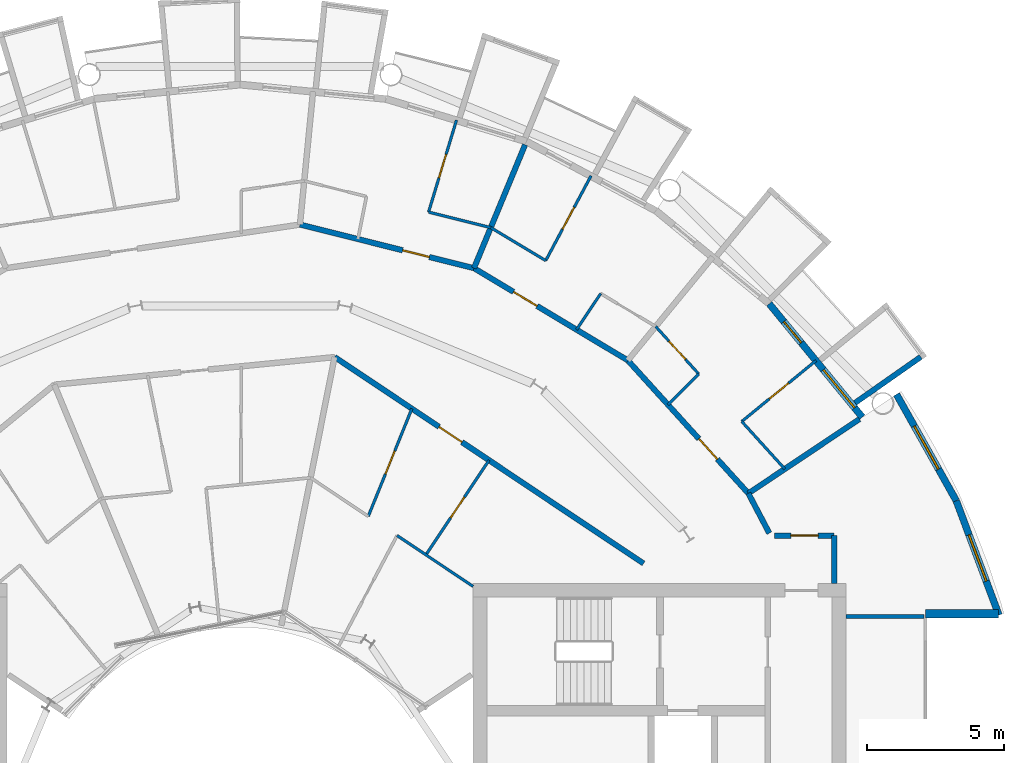
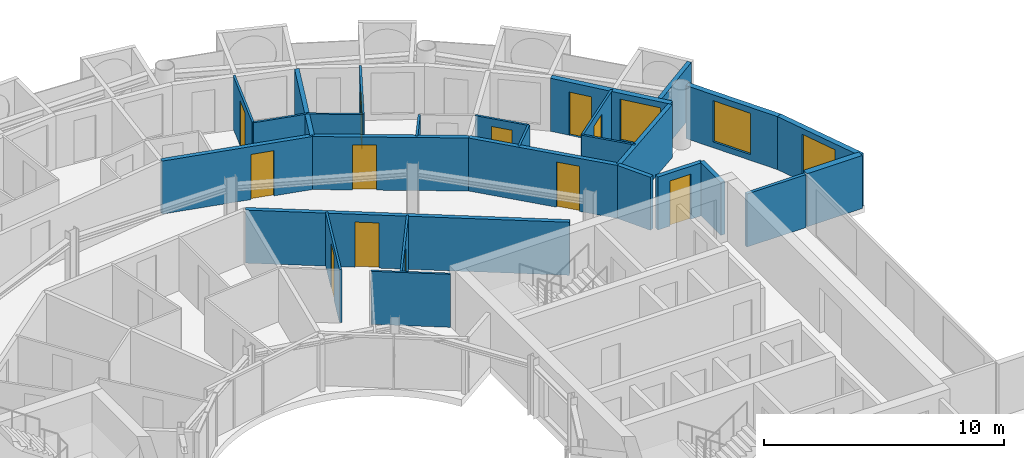
# One storey, part 22 of 27: 27 walls, 12 doors, 3 windows, 15 openings.
"""IFC4 building model written with IfcOpenShell, lengths in metres."""

import ifcopenshell
import ifcopenshell.guid

model = None  # the IFC model being written
_history = None  # IfcOwnerHistory: only IFC2X3 demands one
_inside = {}  # id of a spatial element -> (the spatial element, [elements in it])
_under = {}  # id of a project, library or spatial element -> (it, [spatial elements below it])
_declared = {}  # id of a project -> (the project, [libraries it declares])
_typed = {}  # id of a type object -> (the type object, [elements of that type])
_made_of = {}  # id of a material, layer set ... -> (it, [elements and type objects made of it])


def new_model(schema):
    """Start an empty IFC model of exactly this schema.

    Asked for "IFC4X3", IfcOpenShell would pick the latest addendum, in which some entities
    have other attributes; the version numbers below select the first issue.
    IFC2X3 requires an IfcOwnerHistory on every rooted entity: one is made here for all.
    """
    global model, _history
    if schema == "IFC4X3":
        model = ifcopenshell.file(schema_version=(4, 3, 0, 0))
    else:
        model = ifcopenshell.file(schema=schema)
    _inside.clear()
    _under.clear()
    _declared.clear()
    _typed.clear()
    _made_of.clear()
    _history = None
    if model.schema == "IFC2X3":
        org = make("IfcOrganization", Name="unknown")
        user = make(
            "IfcPersonAndOrganization",
            ThePerson=make("IfcPerson", FamilyName="unknown"),
            TheOrganization=org,
        )
        app = make(
            "IfcApplication",
            ApplicationDeveloper=org,
            Version="unknown",
            ApplicationFullName="unknown",
            ApplicationIdentifier="unknown",
        )
        _history = make(
            "IfcOwnerHistory",
            OwningUser=user,
            OwningApplication=app,
            ChangeAction="ADDED",
            CreationDate=0,
        )
    return model


def make(cls, **values):
    """One entity of the class cls with the attributes given. An attribute that is None is left unset."""
    return model.create_entity(
        cls, **{name: value for name, value in values.items() if value is not None}
    )


def rooted(cls, **values):
    """An entity with a GlobalId (a new one), such as an element, a storey or a relation."""
    return make(cls, GlobalId=ifcopenshell.guid.new(), OwnerHistory=_history, **values)


def si_unit(unit_type, name, prefix=None):
    """IfcSIUnit, for example si_unit("LENGTHUNIT", "METRE", prefix="MILLI")."""
    return make("IfcSIUnit", UnitType=unit_type, Prefix=prefix, Name=name)


def assignment(units):
    """IfcUnitAssignment: the units of a project."""
    return None if units is None else make("IfcUnitAssignment", Units=units)


def point(xyz):
    """IfcCartesianPoint."""
    return None if xyz is None else make("IfcCartesianPoint", Coordinates=xyz)


def direction(xyz):
    """IfcDirection."""
    return None if xyz is None else make("IfcDirection", DirectionRatios=xyz)


def frame(location, z_axis=None, x_axis=None):
    """IfcAxis2Placement3D, a coordinate frame: its origin and axes. An axis left out is left unset."""
    return make(
        "IfcAxis2Placement3D",
        Location=point(location),
        Axis=direction(z_axis),
        RefDirection=direction(x_axis),
    )


def frame_2d(location, x_axis=None):
    """IfcAxis2Placement2D, a coordinate frame in the plane: its origin and x axis."""
    return make(
        "IfcAxis2Placement2D", Location=point(location), RefDirection=direction(x_axis)
    )


def origin():
    """The frame at (0, 0, 0) with its axes left unset."""
    return frame((0.0, 0.0, 0.0))


def place(relative_to, where):
    """IfcLocalPlacement: puts the frame where relative to a parent placement (None: the world)."""
    return make(
        "IfcLocalPlacement", PlacementRelTo=relative_to, RelativePlacement=where
    )


def context(
    kind, dimensions, precision=None, world=None, true_north=None, identifier=None
):
    """IfcGeometricRepresentationContext, for example the 3D "Model" context."""
    return make(
        "IfcGeometricRepresentationContext",
        ContextIdentifier=identifier,
        ContextType=kind,
        CoordinateSpaceDimension=dimensions,
        Precision=precision,
        WorldCoordinateSystem=world,
        TrueNorth=true_north,
    )


def subcontext(parent, identifier, kind, view, scale=None):
    """IfcGeometricRepresentationSubContext, for example "Body" below "Model"."""
    return make(
        "IfcGeometricRepresentationSubContext",
        ContextIdentifier=identifier,
        ContextType=kind,
        ParentContext=parent,
        TargetScale=scale,
        TargetView=view,
    )


def project(units=None, contexts=None):
    """IfcProject with its units and contexts."""
    return rooted(
        "IfcProject",
        Name="project",
        RepresentationContexts=contexts,
        UnitsInContext=assignment(units),
    )


def spatial(cls, under=None, at=None, **own):
    """A site, building, storey or space (cls), placed at a placement, below another one or the project."""
    s = rooted(cls, ObjectPlacement=at, **own)
    if under is not None:
        _under.setdefault(under.id(), (under, []))[1].append(s)
    return s


def profile(cls, at=None, kind="AREA", **sizes):
    """A parametric profile (cls). Its sizes go by their IFC names, for example OverallWidth=200.0."""
    return make(cls, ProfileType=kind, Position=at, **sizes)


def rectangle(**sizes):
    """IfcRectangleProfileDef."""
    return profile("IfcRectangleProfileDef", **sizes)


def extrude(swept, where, along, depth):
    """IfcExtrudedAreaSolid: the profile swept, set in the frame where, extruded along a direction by depth."""
    return make(
        "IfcExtrudedAreaSolid",
        SweptArea=swept,
        Position=where,
        ExtrudedDirection=direction(along),
        Depth=depth,
    )


def shape(context_of_items, identifier, shape_type, items):
    """IfcShapeRepresentation: the items that make up one representation, for example the "Body"."""
    return make(
        "IfcShapeRepresentation",
        ContextOfItems=context_of_items,
        RepresentationIdentifier=identifier,
        RepresentationType=shape_type,
        Items=items,
    )


def material(Name=None, Category=None):
    """IfcMaterial."""
    return make("IfcMaterial", Name=Name, Category=Category)


def layer(
    of_material, thickness, ventilated=None, Name=None, Category=None, Priority=None
):
    """IfcMaterialLayer: one layer of a wall or slab, of a material (None: an air gap)."""
    return make(
        "IfcMaterialLayer",
        Material=of_material,
        LayerThickness=thickness,
        IsVentilated=ventilated,
        Name=Name,
        Category=Category,
        Priority=Priority,
    )


def layer_set(layers, Name=None):
    """IfcMaterialLayerSet."""
    return make("IfcMaterialLayerSet", MaterialLayers=layers, LayerSetName=Name)


def made_of(thing, what):
    """Note that an element or type object is made of a material, layer set ...; save() writes the relation."""
    if what is not None:
        _made_of.setdefault(what.id(), (what, []))[1].append(thing)
    return thing


def type_object(cls, material=None, **own):
    """A type object (cls), such as IfcWallType, which elements share."""
    return made_of(rooted(cls, **own), material)


def element(
    cls,
    number,
    at=None,
    inside=None,
    cuts=None,
    type_object=None,
    material=None,
    context=None,
    identifier="Body",
    shape_type=None,
    held_by="IfcProductDefinitionShape",
    body=None,
    shapes=None,
    **own,
):
    """One element of the class cls, such as IfcWall. Its Tag is "e" and its number.

    at: its placement. inside: the storey or other place that contains it. cuts: it is an
    opening in that element (IfcRelVoidsElement). A single representation is given by context,
    identifier, shape_type and body (its items); several are given by shapes. held_by: the class
    of the entity that holds the representations. save() writes the other relations.
    """
    e = rooted(cls, Tag="e%d" % number, ObjectPlacement=at, **own)
    if body is not None:
        shapes = [shape(context, identifier, shape_type, body)]
    if shapes is not None:
        e.Representation = make(held_by, Representations=shapes)
    if inside is not None:
        _inside.setdefault(inside.id(), (inside, []))[1].append(e)
    if cuts is not None:
        rooted(
            "IfcRelVoidsElement", RelatingBuildingElement=cuts, RelatedOpeningElement=e
        )
    if type_object is not None:
        _typed.setdefault(type_object.id(), (type_object, []))[1].append(e)
    return made_of(e, material)


def fill(opening, filler):
    """IfcRelFillsElement: the door or window that sits in an opening."""
    return rooted(
        "IfcRelFillsElement",
        RelatingOpeningElement=opening,
        RelatedBuildingElement=filler,
    )


def aggregate(whole, parts):
    """IfcRelAggregates: a whole, such as a stair, and the parts it consists of."""
    return rooted("IfcRelAggregates", RelatingObject=whole, RelatedObjects=parts)


def save(model, path):
    """Write the relations noted so far, then the file.

    IfcRelAggregates (storeys below a building ...), IfcRelContainedInSpatialStructure (elements
    in a storey), IfcRelDefinesByType, IfcRelAssociatesMaterial and IfcRelDeclares: one each for
    every whole, place, type object, material and project.
    """
    for whole, parts in _under.values():
        aggregate(whole, parts)
    for where, things in _inside.values():
        rooted(
            "IfcRelContainedInSpatialStructure",
            RelatedElements=things,
            RelatingStructure=where,
        )
    for kind, things in _typed.values():
        rooted("IfcRelDefinesByType", RelatedObjects=things, RelatingType=kind)
    for what, things in _made_of.values():
        rooted("IfcRelAssociatesMaterial", RelatedObjects=things, RelatingMaterial=what)
    for by, libraries in _declared.values():
        rooted("IfcRelDeclares", RelatingContext=by, RelatedDefinitions=libraries)
    model.write(path)


model = new_model("IFC4")

# Units and contexts
model_context = context("Model", 3, precision=1e-05, world=origin(), true_north=direction((0.0, 1.0)))
body_context = subcontext(model_context, "Body", "Model", "MODEL_VIEW")
ifc_project = project(units=[si_unit("LENGTHUNIT", "METRE"), si_unit("AREAUNIT", "SQUARE_METRE"), si_unit("VOLUMEUNIT", "CUBIC_METRE"), si_unit("PLANEANGLEUNIT", "RADIAN"), si_unit("MASSUNIT", "GRAM", prefix="KILO")], contexts=[model_context])

# Site, building, storey
site_placement = place(None, origin())
site = spatial("IfcSite", under=ifc_project, at=site_placement, CompositionType="ELEMENT")
building_placement = place(site_placement, origin())
building = spatial("IfcBuilding", under=site, at=building_placement, Name="Maasbend Ring Residences", CompositionType="ELEMENT")
storey_placement = place(building_placement, frame((0.0, 0.0, 145.199951171875)))
storey = spatial("IfcBuildingStorey", under=building, at=storey_placement, Name="L41", CompositionType="ELEMENT", Elevation=145.199951171875)

# Wall
ifc_material_1 = material(Name="Concrete C30/37", Category="concrete")
ifc_layer_1 = layer(ifc_material_1, 0.199951171875)
ifc_layer_set_1 = layer_set([ifc_layer_1], Name="Concrete C30/37")
wall_type_1 = type_object("IfcWallType", Name="CORRIDOR WALL 200 CONCRETE", PredefinedType="PARTITIONING", material=ifc_layer_set_1)
wall_1_placement = place(storey_placement, frame((21.675048828125, 9.10009765625, 0.0), z_axis=(0.0, 0.0, 1.0), x_axis=(0.0, 1.0, 0.0)))
element("IfcWall", 1, at=wall_1_placement, inside=storey, type_object=wall_type_1, Name="U-L41-w013", PredefinedType="PARTITIONING", context=body_context, shape_type="SweptSolid", body=[
    extrude(rectangle(XDim=1.75, YDim=0.199951171875, at=frame_2d((0.875, 0.0))), origin(), (0.0, 0.0, 1.0), 2.699951171875),
])

# Wall, opening, door
wall_2_placement = place(storey_placement, frame((19.50390625, 10.85009765625, 0.0), z_axis=(0.0, 0.0, 1.0), x_axis=(1.0, 0.0, 0.0)))
wall_2 = element("IfcWall", 2, at=wall_2_placement, inside=storey, type_object=wall_type_1, Name="U-L41-w087", PredefinedType="PARTITIONING", context=body_context, shape_type="SweptSolid", body=[
    extrude(rectangle(XDim=2.171142578125, YDim=0.199951171875, at=frame_2d((1.08544921875, 0.0))), origin(), (0.0, 0.0, 1.0), 2.699951171875),
])
opening_1_placement = place(wall_2_placement, frame((0.5849609375, 0.0, 0.0)))
opening_1 = element("IfcOpeningElement", 3, at=opening_1_placement, cuts=wall_2, Name="Opening D-4162", PredefinedType="OPENING", context=body_context, shape_type="SweptSolid", body=[
    extrude(rectangle(XDim=1.0, YDim=2.300048828125, at=frame_2d((0.5, 1.14990234375))), frame((0.0, 0.10986328125, 0.0), z_axis=(0.0, -1.0, 0.0), x_axis=(1.0, 0.0, 0.0)), (0.0, 0.0, 1.0), 0.219970703125),
])
ifc_material_2 = material(Name="Timber, painted", Category="wood")
door_type_1 = type_object("IfcDoorType", Name="ROOM DOOR 1000 X 2300", OperationType="NOTDEFINED", PredefinedType="DOOR", material=ifc_material_2)
door_1_placement = place(opening_1_placement, origin())
door_1 = element("IfcDoor", 4, at=door_1_placement, inside=storey, type_object=door_type_1, Name="D-4162", OperationType="SINGLE_SWING_LEFT", OverallHeight=2.300048828125, OverallWidth=1.0, PredefinedType="DOOR", context=body_context, shape_type="SweptSolid", body=[
    extrude(rectangle(XDim=1.0, YDim=2.300048828125, at=frame_2d((0.5, 1.14990234375))), frame((0.0, 0.02490234375, 0.0), z_axis=(0.0, -1.0, 0.0), x_axis=(1.0, 0.0, 0.0)), (0.0, 0.0, 1.0), 0.050048828125),
])
fill(opening_1, door_1)

wall_3_placement = place(storey_placement, frame((3.452880859375, 17.360107421875, 0.0), z_axis=(0.0, 0.0, 1.0), x_axis=(0.831437137577, -0.555618831806, 0.0)))
wall_3 = element("IfcWall", 5, at=wall_3_placement, inside=storey, type_object=wall_type_1, Name="U-L41-w094", PredefinedType="PARTITIONING", context=body_context, shape_type="SweptSolid", body=[
    extrude(rectangle(XDim=13.549072265625, YDim=0.199951171875, at=frame_2d((6.7744140625, 0.0))), origin(), (0.0, 0.0, 1.0), 2.699951171875),
])
opening_2_placement = place(wall_3_placement, frame((4.5810546875, 0.0, 0.0)))
opening_2 = element("IfcOpeningElement", 6, at=opening_2_placement, cuts=wall_3, Name="Opening D-4121", PredefinedType="OPENING", context=body_context, shape_type="SweptSolid", body=[
    extrude(rectangle(XDim=1.0, YDim=2.300048828125, at=frame_2d((0.5, 1.14990234375))), frame((0.0, 0.10986328125, 0.0), z_axis=(0.0, -1.0, 0.0), x_axis=(1.0, 0.0, 0.0)), (0.0, 0.0, 1.0), 0.219970703125),
])
ifc_material_3 = material(Name="Timber, fire-rated, painted", Category="wood")
door_type_2 = type_object("IfcDoorType", Name="FLAT ENTRANCE DOOR 1000 X 2300 FIRE-RATED", OperationType="NOTDEFINED", PredefinedType="DOOR", material=ifc_material_3)
door_2_placement = place(opening_2_placement, origin())
door_2 = element("IfcDoor", 7, at=door_2_placement, inside=storey, type_object=door_type_2, Name="D-4121", OperationType="SINGLE_SWING_LEFT", OverallHeight=2.300048828125, OverallWidth=1.0, PredefinedType="DOOR", context=body_context, shape_type="SweptSolid", body=[
    extrude(rectangle(XDim=1.0, YDim=2.300048828125, at=frame_2d((0.5, 1.14990234375))), frame((0.0, 0.02490234375, 0.0), z_axis=(0.0, -1.0, 0.0), x_axis=(1.0, 0.0, 0.0)), (0.0, 0.0, 1.0), 0.050048828125),
])
fill(opening_2, door_2)

wall_4_placement = place(storey_placement, frame((2.18603515625, 22.193115234375, 0.0), z_axis=(0.0, 0.0, 1.0), x_axis=(0.97003047456, -0.242983288366, 0.0)))
wall_4 = element("IfcWall", 8, at=wall_4_placement, inside=storey, type_object=wall_type_1, Name="U-L41-w102", PredefinedType="PARTITIONING", context=body_context, shape_type="SweptSolid", body=[
    extrude(rectangle(XDim=6.5439453125, YDim=0.199951171875, at=frame_2d((3.27197265625, 0.0))), origin(), (0.0, 0.0, 1.0), 2.699951171875),
])
opening_3_placement = place(wall_4_placement, frame((3.863037109375, 0.0, 0.0)))
opening_3 = element("IfcOpeningElement", 9, at=opening_3_placement, cuts=wall_4, Name="Opening D-4107", PredefinedType="OPENING", context=body_context, shape_type="SweptSolid", body=[
    extrude(rectangle(XDim=1.0, YDim=2.300048828125, at=frame_2d((0.5, 1.14990234375))), frame((0.0, 0.10986328125, 0.0), z_axis=(0.0, -1.0, 0.0), x_axis=(1.0, 0.0, 0.0)), (0.0, 0.0, 1.0), 0.219970703125),
])
door_3_placement = place(opening_3_placement, origin())
door_3 = element("IfcDoor", 10, at=door_3_placement, inside=storey, type_object=door_type_2, Name="D-4107", OperationType="SINGLE_SWING_RIGHT", OverallHeight=2.300048828125, OverallWidth=1.0, PredefinedType="DOOR", context=body_context, shape_type="SweptSolid", body=[
    extrude(rectangle(XDim=1.0, YDim=2.300048828125, at=frame_2d((0.5, 1.14990234375))), frame((0.0, 0.02490234375, 0.0), z_axis=(0.0, -1.0, 0.0), x_axis=(1.0, 0.0, 0.0)), (0.0, 0.0, 1.0), 0.050048828125),
])
fill(opening_3, door_3)

wall_5_placement = place(storey_placement, frame((8.533935546875, 20.60302734375, 0.0), z_axis=(0.0, 0.0, 1.0), x_axis=(0.857683781508, -0.514177528621, 0.0)))
wall_5 = element("IfcWall", 11, at=wall_5_placement, inside=storey, type_object=wall_type_1, Name="U-L41-w103", PredefinedType="PARTITIONING", context=body_context, shape_type="SweptSolid", body=[
    extrude(rectangle(XDim=6.54443359375, YDim=0.199951171875, at=frame_2d((3.272216796875, 0.0))), origin(), (0.0, 0.0, 1.0), 2.699951171875),
])
opening_4_placement = place(wall_5_placement, frame((1.681884765625, 0.0, 0.0)))
opening_4 = element("IfcOpeningElement", 12, at=opening_4_placement, cuts=wall_5, Name="Opening D-4104", PredefinedType="OPENING", context=body_context, shape_type="SweptSolid", body=[
    extrude(rectangle(XDim=1.0, YDim=2.300048828125, at=frame_2d((0.5, 1.14990234375))), frame((0.0, 0.10986328125, 0.0), z_axis=(0.0, -1.0, 0.0), x_axis=(1.0, 0.0, 0.0)), (0.0, 0.0, 1.0), 0.219970703125),
])
door_4_placement = place(opening_4_placement, origin())
door_4 = element("IfcDoor", 13, at=door_4_placement, inside=storey, type_object=door_type_2, Name="D-4104", OperationType="SINGLE_SWING_LEFT", OverallHeight=2.300048828125, OverallWidth=1.0, PredefinedType="DOOR", context=body_context, shape_type="SweptSolid", body=[
    extrude(rectangle(XDim=1.0, YDim=2.300048828125, at=frame_2d((0.5, 1.14990234375))), frame((0.0, 0.02490234375, 0.0), z_axis=(0.0, -1.0, 0.0), x_axis=(1.0, 0.0, 0.0)), (0.0, 0.0, 1.0), 0.050048828125),
])
fill(opening_4, door_4)

wall_6_placement = place(storey_placement, frame((14.14697265625, 17.238037109375, 0.0), z_axis=(0.0, 0.0, 1.0), x_axis=(0.671561669125, -0.740948665268, 0.0)))
wall_6 = element("IfcWall", 14, at=wall_6_placement, inside=storey, type_object=wall_type_1, Name="U-L41-w104", PredefinedType="PARTITIONING", context=body_context, shape_type="SweptSolid", body=[
    extrude(rectangle(XDim=6.54443359375, YDim=0.199951171875, at=frame_2d((3.272216796875, 0.0))), origin(), (0.0, 0.0, 1.0), 2.699951171875),
])
opening_5_placement = place(wall_6_placement, frame((3.862060546875, 0.0, 0.0)))
opening_5 = element("IfcOpeningElement", 15, at=opening_5_placement, cuts=wall_6, Name="Opening D-4101", PredefinedType="OPENING", context=body_context, shape_type="SweptSolid", body=[
    extrude(rectangle(XDim=1.0, YDim=2.300048828125, at=frame_2d((0.5, 1.14990234375))), frame((0.0, 0.10986328125, 0.0), z_axis=(0.0, -1.0, 0.0), x_axis=(1.0, 0.0, 0.0)), (0.0, 0.0, 1.0), 0.219970703125),
])
door_5_placement = place(opening_5_placement, origin())
door_5 = element("IfcDoor", 16, at=door_5_placement, inside=storey, type_object=door_type_2, Name="D-4101", OperationType="SINGLE_SWING_RIGHT", OverallHeight=2.300048828125, OverallWidth=1.0, PredefinedType="DOOR", context=body_context, shape_type="SweptSolid", body=[
    extrude(rectangle(XDim=1.0, YDim=2.300048828125, at=frame_2d((0.5, 1.14990234375))), frame((0.0, 0.02490234375, 0.0), z_axis=(0.0, -1.0, 0.0), x_axis=(1.0, 0.0, 0.0)), (0.0, 0.0, 1.0), 0.050048828125),
])
fill(opening_5, door_5)

# Walls
wall_7_placement = place(storey_placement, frame((18.5419921875, 12.388916015625, 0.0), z_axis=(0.0, 0.0, 1.0), x_axis=(0.465605550524, -0.884992356646, 0.0)))
element("IfcWall", 17, at=wall_7_placement, inside=storey, type_object=wall_type_1, Name="U-L41-w106", PredefinedType="PARTITIONING", context=body_context, shape_type="SweptSolid", body=[
    extrude(rectangle(XDim=1.642822265625, YDim=0.199951171875, at=frame_2d((0.8212890625, 0.0))), origin(), (0.0, 0.0, 1.0), 2.699951171875),
])
ifc_material_4 = material(Name="Pale anodised aluminium panel", Category="aluminium")
ifc_layer_2 = layer(ifc_material_4, 0.199951171875)
ifc_layer_set_2 = layer_set([ifc_layer_2], Name="EW-BOX")
wall_type_2 = type_object("IfcWallType", Name="EW-BOX", PredefinedType="SOLIDWALL", material=ifc_layer_set_2)
wall_8_placement = place(storey_placement, frame((22.43310546875, 15.68798828125, -0.030029296875), z_axis=(0.0, 0.0, 1.0), x_axis=(0.819373043115, 0.573260687834, 0.0)))
element("IfcWall", 18, at=wall_8_placement, inside=storey, type_object=wall_type_2, Name="Box side wall N01 left", PredefinedType="SOLIDWALL", context=body_context, shape_type="SweptSolid", body=[
    extrude(rectangle(XDim=2.92529296875, YDim=0.199951171875, at=frame_2d((1.462646484375, 0.0))), origin(), (0.0, 0.0, 1.0), 2.72998046875),
])

# Wall, openings, door, window
ifc_material_5 = material(Name="Aluminium clad insulated panel", Category="aluminium")
ifc_layer_3 = layer(ifc_material_5, 0.25)
ifc_layer_set_3 = layer_set([ifc_layer_3], Name="EW-GL")
wall_type_3 = type_object("IfcWallType", Name="EW-GL", PredefinedType="SOLIDWALL", material=ifc_layer_set_3)
wall_9_placement = place(storey_placement, frame((22.698974609375, 15.1669921875, 0.0), z_axis=(0.0, 0.0, 1.0), x_axis=(-0.634382322723, 0.773019449054, 0.0)))
wall_9 = element("IfcWall", 19, at=wall_9_placement, inside=storey, type_object=wall_type_3, Name="External wall N01", PredefinedType="SOLIDWALL", context=body_context, shape_type="SweptSolid", body=[
    extrude(rectangle(XDim=5.351806640625, YDim=0.25, at=frame_2d((2.67578125, 0.0))), origin(), (0.0, 0.0, 1.0), 2.699951171875),
])
opening_6_placement = place(wall_9_placement, frame((0.441162109375, 0.0, 0.300048828125)))
opening_6 = element("IfcOpeningElement", 20, at=opening_6_placement, cuts=wall_9, Name="Opening W-BX", PredefinedType="OPENING", context=body_context, shape_type="SweptSolid", body=[
    extrude(rectangle(XDim=1.800048828125, YDim=2.10009765625, at=frame_2d((0.89990234375, 1.050048828125))), frame((0.0, 0.135009765625, 0.0), z_axis=(0.0, -1.0, 0.0), x_axis=(1.0, 0.0, 0.0)), (0.0, 0.0, 1.0), 0.27001953125),
])
opening_7_placement = place(wall_9_placement, frame((3.510498046875, 0.0, 0.0)))
opening_7 = element("IfcOpeningElement", 21, at=opening_7_placement, cuts=wall_9, Name="Opening D-LG", PredefinedType="OPENING", context=body_context, shape_type="SweptSolid", body=[
    extrude(rectangle(XDim=1.0, YDim=2.199951171875, at=frame_2d((0.5, 1.10009765625))), frame((0.0, 0.135009765625, 0.0), z_axis=(0.0, -1.0, 0.0), x_axis=(1.0, 0.0, 0.0)), (0.0, 0.0, 1.0), 0.27001953125),
])
ifc_material_6 = material(Name="Aluminium and clear glass", Category="aluminium")
door_type_3 = type_object("IfcDoorType", Name="D-LG", OperationType="SINGLE_SWING_LEFT", PredefinedType="DOOR", material=ifc_material_6)
door_6_placement = place(opening_7_placement, origin())
door_6 = element("IfcDoor", 22, at=door_6_placement, inside=storey, type_object=door_type_3, Name="Loggia door N02", OperationType="SINGLE_SWING_LEFT", OverallHeight=2.199951171875, OverallWidth=1.0, PredefinedType="DOOR", context=body_context, shape_type="SweptSolid", body=[
    extrude(rectangle(XDim=1.0, YDim=2.199951171875, at=frame_2d((0.5, 1.10009765625))), frame((0.0, 0.02490234375, 0.0), z_axis=(0.0, -1.0, 0.0), x_axis=(1.0, 0.0, 0.0)), (0.0, 0.0, 1.0), 0.050048828125),
])
fill(opening_7, door_6)
ifc_material_7 = material(Name="Aluminium and clear glass", Category="aluminium")
window_type = type_object("IfcWindowType", Name="W-BX", PartitioningType="DOUBLE_PANEL_VERTICAL", PredefinedType="WINDOW", material=ifc_material_7)
window_1_placement = place(opening_6_placement, origin())
window_1 = element("IfcWindow", 23, at=window_1_placement, inside=storey, type_object=window_type, Name="Window N01 room to box", OverallHeight=2.10009765625, OverallWidth=1.800048828125, PartitioningType="SINGLE_PANEL", PredefinedType="WINDOW", context=body_context, shape_type="SweptSolid", body=[
    extrude(rectangle(XDim=1.800048828125, YDim=2.10009765625, at=frame_2d((0.89990234375, 1.050048828125))), frame((0.0, 0.030029296875, 0.0), z_axis=(0.0, -1.0, 0.0), x_axis=(1.0, 0.0, 0.0)), (0.0, 0.0, 1.0), 0.06005859375),
])
fill(opening_6, window_1)

# Wall, opening, window
ifc_material_8 = material(Name="Aluminium clad insulated panel", Category="aluminium")
ifc_layer_4 = layer(ifc_material_8, 0.25)
ifc_layer_set_4 = layer_set([ifc_layer_4], Name="EW-HORN")
wall_type_4 = type_object("IfcWallType", Name="EW-HORN", PredefinedType="SOLIDWALL", material=ifc_layer_set_4)
wall_10_placement = place(storey_placement, frame((27.681884765625, 7.945068359375, 0.0), z_axis=(0.0, 0.0, 1.0), x_axis=(-0.349247811493, 0.937030397675, 0.0)))
wall_10 = element("IfcWall", 24, at=wall_10_placement, inside=storey, type_object=wall_type_4, Name="Horn wall 1.1", PredefinedType="SOLIDWALL", context=body_context, shape_type="SweptSolid", body=[
    extrude(rectangle(XDim=4.4521484375, YDim=0.25, at=frame_2d((2.22607421875, 0.0))), origin(), (0.0, 0.0, 1.0), 2.699951171875),
])
opening_8_placement = place(wall_10_placement, frame((1.32666015625, 0.0, 0.300048828125)))
opening_8 = element("IfcOpeningElement", 25, at=opening_8_placement, cuts=wall_10, Name="Opening W-BX", PredefinedType="OPENING", context=body_context, shape_type="SweptSolid", body=[
    extrude(rectangle(XDim=1.800048828125, YDim=2.10009765625, at=frame_2d((0.89990234375, 1.050048828125))), frame((0.0, 0.135009765625, 0.0), z_axis=(0.0, -1.0, 0.0), x_axis=(1.0, 0.0, 0.0)), (0.0, 0.0, 1.0), 0.27001953125),
])
window_2_placement = place(opening_8_placement, origin())
window_2 = element("IfcWindow", 26, at=window_2_placement, inside=storey, type_object=window_type, Name="Horn window 1.1", OverallHeight=2.10009765625, OverallWidth=1.800048828125, PartitioningType="SINGLE_PANEL", PredefinedType="WINDOW", context=body_context, shape_type="SweptSolid", body=[
    extrude(rectangle(XDim=1.800048828125, YDim=2.10009765625, at=frame_2d((0.89990234375, 1.050048828125))), frame((0.0, 0.030029296875, 0.0), z_axis=(0.0, -1.0, 0.0), x_axis=(1.0, 0.0, 0.0)), (0.0, 0.0, 1.0), 0.06005859375),
])
fill(opening_8, window_2)

wall_11_placement = place(storey_placement, frame((26.126953125, 12.116943359375, 0.0), z_axis=(0.0, 0.0, 1.0), x_axis=(-0.489696356642, 0.871893042919, 0.0)))
wall_11 = element("IfcWall", 27, at=wall_11_placement, inside=storey, type_object=wall_type_4, Name="Horn wall 1.2", PredefinedType="SOLIDWALL", context=body_context, shape_type="SweptSolid", body=[
    extrude(rectangle(XDim=4.45361328125, YDim=0.25, at=frame_2d((2.226806640625, 0.0))), origin(), (0.0, 0.0, 1.0), 2.699951171875),
])
opening_9_placement = place(wall_11_placement, frame((1.32666015625, 0.0, 0.300048828125)))
opening_9 = element("IfcOpeningElement", 28, at=opening_9_placement, cuts=wall_11, Name="Opening W-BX", PredefinedType="OPENING", context=body_context, shape_type="SweptSolid", body=[
    extrude(rectangle(XDim=1.800048828125, YDim=2.10009765625, at=frame_2d((0.89990234375, 1.050048828125))), frame((0.0, 0.135009765625, 0.0), z_axis=(0.0, -1.0, 0.0), x_axis=(1.0, 0.0, 0.0)), (0.0, 0.0, 1.0), 0.27001953125),
])
window_3_placement = place(opening_9_placement, origin())
window_3 = element("IfcWindow", 29, at=window_3_placement, inside=storey, type_object=window_type, Name="Horn window 1.2", OverallHeight=2.10009765625, OverallWidth=1.800048828125, PartitioningType="SINGLE_PANEL", PredefinedType="WINDOW", context=body_context, shape_type="SweptSolid", body=[
    extrude(rectangle(XDim=1.800048828125, YDim=2.10009765625, at=frame_2d((0.89990234375, 1.050048828125))), frame((0.0, 0.030029296875, 0.0), z_axis=(0.0, -1.0, 0.0), x_axis=(1.0, 0.0, 0.0)), (0.0, 0.0, 1.0), 0.06005859375),
])
fill(opening_9, window_3)

# Wall
ifc_material_9 = material(Name="Aluminium clad insulated panel", Category="aluminium")
ifc_layer_5 = layer(ifc_material_9, 0.300048828125)
ifc_layer_set_5 = layer_set([ifc_layer_5], Name="EW-RET")
wall_type_5 = type_object("IfcWallType", Name="EW-RET", PredefinedType="SOLIDWALL", material=ifc_layer_set_5)
wall_12_placement = place(storey_placement, frame((25.0, 8.0, 0.0), z_axis=(0.0, 0.0, 1.0), x_axis=(1.0, 0.0, 0.0)))
element("IfcWall", 30, at=wall_12_placement, inside=storey, type_object=wall_type_5, Name="Notch return wall east north", PredefinedType="SOLIDWALL", context=body_context, shape_type="SweptSolid", body=[
    extrude(rectangle(XDim=2.6669921875, YDim=0.300048828125, at=frame_2d((1.33349609375, 0.0))), origin(), (0.0, 0.0, 1.0), 2.699951171875),
])

# Wall, opening, door
ifc_material_10 = material(Name="Gypsum board on steel studs", Category="steel")
ifc_layer_6 = layer(ifc_material_10, 0.10009765625)
ifc_layer_set_6 = layer_set([ifc_layer_6], Name="PARTITION 100 GYPSUM")
wall_type_6 = type_object("IfcWallType", Name="PARTITION 100 GYPSUM", PredefinedType="PARTITIONING", material=ifc_layer_set_6)
wall_13_placement = place(storey_placement, frame((4.677978515625, 11.551025390625, 0.0), z_axis=(0.0, 0.0, 1.0), x_axis=(0.375509828455, 0.926818411952, 0.0)))
wall_13 = element("IfcWall", 31, at=wall_13_placement, inside=storey, type_object=wall_type_6, Name="U-L41-w064", PredefinedType="PARTITIONING", context=body_context, shape_type="SweptSolid", body=[
    extrude(rectangle(XDim=4.237060546875, YDim=0.10009765625, at=frame_2d((2.11865234375, 0.0))), origin(), (0.0, 0.0, 1.0), 2.699951171875),
])
opening_10_placement = place(wall_13_placement, frame((1.6689453125, 0.0, 0.0)))
opening_10 = element("IfcOpeningElement", 32, at=opening_10_placement, cuts=wall_13, Name="Opening D-4122", PredefinedType="OPENING", context=body_context, shape_type="SweptSolid", body=[
    extrude(rectangle(XDim=0.89990234375, YDim=2.300048828125, at=frame_2d((0.449951171875, 1.14990234375))), frame((0.0, 0.06005859375, 0.0), z_axis=(0.0, -1.0, 0.0), x_axis=(1.0, 0.0, 0.0)), (0.0, 0.0, 1.0), 0.1201171875),
])
ifc_material_11 = material(Name="Timber, painted", Category="wood")
door_type_4 = type_object("IfcDoorType", Name="INTERNAL DOOR 900 X 2300", OperationType="NOTDEFINED", PredefinedType="DOOR", material=ifc_material_11)
door_7_placement = place(opening_10_placement, origin())
door_7 = element("IfcDoor", 33, at=door_7_placement, inside=storey, type_object=door_type_4, Name="D-4122", OperationType="SINGLE_SWING_RIGHT", OverallHeight=2.300048828125, OverallWidth=0.89990234375, PredefinedType="DOOR", context=body_context, shape_type="SweptSolid", body=[
    extrude(rectangle(XDim=0.89990234375, YDim=2.300048828125, at=frame_2d((0.449951171875, 1.14990234375))), frame((0.0, 0.02490234375, 0.0), z_axis=(0.0, -1.0, 0.0), x_axis=(1.0, 0.0, 0.0)), (0.0, 0.0, 1.0), 0.050048828125),
])
fill(opening_10, door_7)

wall_14_placement = place(storey_placement, frame((6.780029296875, 10.14697265625, 0.0), z_axis=(0.0, 0.0, 1.0), x_axis=(0.555528237031, 0.831497671591, 0.0)))
wall_14 = element("IfcWall", 34, at=wall_14_placement, inside=storey, type_object=wall_type_6, Name="U-L41-w067", PredefinedType="PARTITIONING", context=body_context, shape_type="SweptSolid", body=[
    extrude(rectangle(XDim=4.149169921875, YDim=0.10009765625, at=frame_2d((2.07470703125, 0.0))), origin(), (0.0, 0.0, 1.0), 2.699951171875),
])
opening_11_placement = place(wall_14_placement, frame((1.625, 0.0, 0.0)))
opening_11 = element("IfcOpeningElement", 35, at=opening_11_placement, cuts=wall_14, Name="Opening D-4123", PredefinedType="OPENING", context=body_context, shape_type="SweptSolid", body=[
    extrude(rectangle(XDim=0.89990234375, YDim=2.300048828125, at=frame_2d((0.449951171875, 1.14990234375))), frame((0.0, 0.06005859375, 0.0), z_axis=(0.0, -1.0, 0.0), x_axis=(1.0, 0.0, 0.0)), (0.0, 0.0, 1.0), 0.1201171875),
])
door_8_placement = place(opening_11_placement, origin())
door_8 = element("IfcDoor", 36, at=door_8_placement, inside=storey, type_object=door_type_4, Name="D-4123", OperationType="SINGLE_SWING_RIGHT", OverallHeight=2.300048828125, OverallWidth=0.89990234375, PredefinedType="DOOR", context=body_context, shape_type="SweptSolid", body=[
    extrude(rectangle(XDim=0.89990234375, YDim=2.300048828125, at=frame_2d((0.449951171875, 1.14990234375))), frame((0.0, 0.02490234375, 0.0), z_axis=(0.0, -1.0, 0.0), x_axis=(1.0, 0.0, 0.0)), (0.0, 0.0, 1.0), 0.050048828125),
])
fill(opening_11, door_8)

wall_15_placement = place(storey_placement, frame((6.8779296875, 22.64892578125, 0.0), z_axis=(0.0, 0.0, 1.0), x_axis=(0.290784578865, 0.956788549625, 0.0)))
wall_15 = element("IfcWall", 37, at=wall_15_placement, inside=storey, type_object=wall_type_6, Name="U-L41-w068", PredefinedType="PARTITIONING", context=body_context, shape_type="SweptSolid", body=[
    extrude(rectangle(XDim=3.50439453125, YDim=0.10009765625, at=frame_2d((1.752197265625, 0.0))), origin(), (0.0, 0.0, 1.0), 2.699951171875),
])
opening_12_placement = place(wall_15_placement, frame((1.302001953125, 0.0, 0.0)))
opening_12 = element("IfcOpeningElement", 38, at=opening_12_placement, cuts=wall_15, Name="Opening D-4109", PredefinedType="OPENING", context=body_context, shape_type="SweptSolid", body=[
    extrude(rectangle(XDim=0.89990234375, YDim=2.300048828125, at=frame_2d((0.449951171875, 1.14990234375))), frame((0.0, 0.06005859375, 0.0), z_axis=(0.0, -1.0, 0.0), x_axis=(1.0, 0.0, 0.0)), (0.0, 0.0, 1.0), 0.1201171875),
])
door_9_placement = place(opening_12_placement, origin())
door_9 = element("IfcDoor", 39, at=door_9_placement, inside=storey, type_object=door_type_4, Name="D-4109", OperationType="SINGLE_SWING_LEFT", OverallHeight=2.300048828125, OverallWidth=0.89990234375, PredefinedType="DOOR", context=body_context, shape_type="SweptSolid", body=[
    extrude(rectangle(XDim=0.89990234375, YDim=2.300048828125, at=frame_2d((0.449951171875, 1.14990234375))), frame((0.0, 0.02490234375, 0.0), z_axis=(0.0, -1.0, 0.0), x_axis=(1.0, 0.0, 0.0)), (0.0, 0.0, 1.0), 0.050048828125),
])
fill(opening_12, door_9)

# Walls
for number, where, z_axis, x_axis, name in (
    (40, (12.27587890625, 18.360107421875, 0.0), (0.0, 0.0, 1.0), (0.556086174374, 0.831124639672, 0.0), "U-L41-w074"),
    (41, (15.612060546875, 15.6220703125, 0.0), (0.0, 0.0, 1.0), (0.70679853939, 0.707414888673, 0.0), "U-L41-w078"),
):
    element("IfcWall", number, at=place(storey_placement, frame(where, z_axis=z_axis, x_axis=x_axis)), inside=storey, type_object=wall_type_6, Name=name, PredefinedType="PARTITIONING", context=body_context, shape_type="SweptSolid", body=[
        extrude(rectangle(XDim=1.58447265625, YDim=0.10009765625, at=frame_2d((0.792236328125, 0.0))), origin(), (0.0, 0.0, 1.0), 2.699951171875),
    ])

# Wall, opening, door
wall_16_placement = place(storey_placement, frame((18.302001953125, 15.010009765625, 0.0), z_axis=(0.0, 0.0, 1.0), x_axis=(0.773165322764, 0.634204528267, 0.0)))
wall_16 = element("IfcWall", 42, at=wall_16_placement, inside=storey, type_object=wall_type_6, Name="U-L41-w080", PredefinedType="PARTITIONING", context=body_context, shape_type="SweptSolid", body=[
    extrude(rectangle(XDim=3.505126953125, YDim=0.10009765625, at=frame_2d((1.75244140625, 0.0))), origin(), (0.0, 0.0, 1.0), 2.699951171875),
])
opening_13_placement = place(wall_16_placement, frame((1.302978515625, 0.0, 0.0)))
opening_13 = element("IfcOpeningElement", 43, at=opening_13_placement, cuts=wall_16, Name="Opening D-4103", PredefinedType="OPENING", context=body_context, shape_type="SweptSolid", body=[
    extrude(rectangle(XDim=0.89990234375, YDim=2.300048828125, at=frame_2d((0.449951171875, 1.14990234375))), frame((0.0, 0.06005859375, 0.0), z_axis=(0.0, -1.0, 0.0), x_axis=(1.0, 0.0, 0.0)), (0.0, 0.0, 1.0), 0.1201171875),
])
door_10_placement = place(opening_13_placement, origin())
door_10 = element("IfcDoor", 44, at=door_10_placement, inside=storey, type_object=door_type_4, Name="D-4103", OperationType="SINGLE_SWING_RIGHT", OverallHeight=2.300048828125, OverallWidth=0.89990234375, PredefinedType="DOOR", context=body_context, shape_type="SweptSolid", body=[
    extrude(rectangle(XDim=0.89990234375, YDim=2.300048828125, at=frame_2d((0.449951171875, 1.14990234375))), frame((0.0, 0.02490234375, 0.0), z_axis=(0.0, -1.0, 0.0), x_axis=(1.0, 0.0, 0.0)), (0.0, 0.0, 1.0), 0.050048828125),
])
fill(opening_13, door_10)

wall_17_placement = place(storey_placement, frame((11.15087890625, 20.87890625, 0.0), z_axis=(0.0, 0.0, 1.0), x_axis=(0.471372600501, 0.881934165058, 0.0)))
wall_17 = element("IfcWall", 45, at=wall_17_placement, inside=storey, type_object=wall_type_6, Name="U-L41-w083", PredefinedType="PARTITIONING", context=body_context, shape_type="SweptSolid", body=[
    extrude(rectangle(XDim=3.5048828125, YDim=0.10009765625, at=frame_2d((1.75244140625, 0.0))), origin(), (0.0, 0.0, 1.0), 2.699951171875),
])
opening_14_placement = place(wall_17_placement, frame((1.302001953125, 0.0, 0.0)))
opening_14 = element("IfcOpeningElement", 46, at=opening_14_placement, cuts=wall_17, Name="Opening D-4106", PredefinedType="OPENING", context=body_context, shape_type="SweptSolid", body=[
    extrude(rectangle(XDim=0.89990234375, YDim=2.300048828125, at=frame_2d((0.449951171875, 1.14990234375))), frame((0.0, 0.06005859375, 0.0), z_axis=(0.0, -1.0, 0.0), x_axis=(1.0, 0.0, 0.0)), (0.0, 0.0, 1.0), 0.1201171875),
])
door_11_placement = place(opening_14_placement, origin())
door_11 = element("IfcDoor", 47, at=door_11_placement, inside=storey, type_object=door_type_4, Name="D-4106", OperationType="SINGLE_SWING_LEFT", OverallHeight=2.300048828125, OverallWidth=0.89990234375, PredefinedType="DOOR", context=body_context, shape_type="SweptSolid", body=[
    extrude(rectangle(XDim=0.89990234375, YDim=2.300048828125, at=frame_2d((0.449951171875, 1.14990234375))), frame((0.0, 0.02490234375, 0.0), z_axis=(0.0, -1.0, 0.0), x_axis=(1.0, 0.0, 0.0)), (0.0, 0.0, 1.0), 0.050048828125),
])
fill(opening_14, door_11)

# Walls
wall_18_placement = place(storey_placement, frame((5.73095703125, 10.847900390625, 0.0), z_axis=(0.0, 0.0, 1.0), x_axis=(0.831339441646, -0.555764997786, 0.0)))
element("IfcWall", 48, at=wall_18_placement, inside=storey, type_object=wall_type_6, Name="U-L41-w089", PredefinedType="PARTITIONING", context=body_context, shape_type="SweptSolid", body=[
    extrude(rectangle(XDim=3.33203125, YDim=0.10009765625, at=frame_2d((1.666015625, 0.0))), origin(), (0.0, 0.0, 1.0), 2.699951171875),
])
wall_19_placement = place(storey_placement, frame((6.8798828125, 22.64794921875, 0.0), z_axis=(0.0, 0.0, 1.0), x_axis=(0.9700564467, -0.242879579658, 0.0)))
element("IfcWall", 49, at=wall_19_placement, inside=storey, type_object=wall_type_6, Name="U-L41-w114", PredefinedType="PARTITIONING", context=body_context, shape_type="SweptSolid", body=[
    extrude(rectangle(XDim=2.338134765625, YDim=0.10009765625, at=frame_2d((1.1689453125, 0.0))), origin(), (0.0, 0.0, 1.0), 2.699951171875),
])
wall_20_placement = place(storey_placement, frame((9.14599609375, 22.0810546875, 0.0), z_axis=(0.0, 0.0, 1.0), x_axis=(0.857640331606, -0.514249999127, 0.0)))
element("IfcWall", 50, at=wall_20_placement, inside=storey, type_object=wall_type_6, Name="U-L41-w115", PredefinedType="PARTITIONING", context=body_context, shape_type="SweptSolid", body=[
    extrude(rectangle(XDim=2.337646484375, YDim=0.10009765625, at=frame_2d((1.1689453125, 0.0))), origin(), (0.0, 0.0, 1.0), 2.699951171875),
])

# Wall, opening, door
wall_21_placement = place(storey_placement, frame((15.162109375, 18.47509765625, 0.0), z_axis=(0.0, 0.0, 1.0), x_axis=(0.671528384412, -0.740978831634, 0.0)))
wall_21 = element("IfcWall", 51, at=wall_21_placement, inside=storey, type_object=wall_type_6, Name="U-L41-w117", PredefinedType="PARTITIONING", context=body_context, shape_type="SweptSolid", body=[
    extrude(rectangle(XDim=2.337646484375, YDim=0.10009765625, at=frame_2d((1.1689453125, 0.0))), origin(), (0.0, 0.0, 1.0), 2.699951171875),
])
opening_15_placement = place(wall_21_placement, frame((0.718994140625, 0.0, 0.0)))
opening_15 = element("IfcOpeningElement", 52, at=opening_15_placement, cuts=wall_21, Name="Opening D-4102", PredefinedType="OPENING", context=body_context, shape_type="SweptSolid", body=[
    extrude(rectangle(XDim=0.89990234375, YDim=2.300048828125, at=frame_2d((0.449951171875, 1.14990234375))), frame((0.0, 0.06005859375, 0.0), z_axis=(0.0, -1.0, 0.0), x_axis=(1.0, 0.0, 0.0)), (0.0, 0.0, 1.0), 0.1201171875),
])
door_12_placement = place(opening_15_placement, origin())
door_12 = element("IfcDoor", 53, at=door_12_placement, inside=storey, type_object=door_type_4, Name="D-4102", OperationType="SINGLE_SWING_LEFT", OverallHeight=2.300048828125, OverallWidth=0.89990234375, PredefinedType="DOOR", context=body_context, shape_type="SweptSolid", body=[
    extrude(rectangle(XDim=0.89990234375, YDim=2.300048828125, at=frame_2d((0.449951171875, 1.14990234375))), frame((0.0, 0.02490234375, 0.0), z_axis=(0.0, -1.0, 0.0), x_axis=(1.0, 0.0, 0.0)), (0.0, 0.0, 1.0), 0.050048828125),
])
fill(opening_15, door_12)

# Walls
wall_22_placement = place(storey_placement, frame((18.302001953125, 15.010009765625, 0.0), z_axis=(0.0, 0.0, 1.0), x_axis=(0.671637685376, -0.740879760544, 0.0)))
element("IfcWall", 54, at=wall_22_placement, inside=storey, type_object=wall_type_6, Name="U-L41-w118", PredefinedType="PARTITIONING", context=body_context, shape_type="SweptSolid", body=[
    extrude(rectangle(XDim=2.337646484375, YDim=0.10009765625, at=frame_2d((1.1689453125, 0.0))), origin(), (0.0, 0.0, 1.0), 2.699951171875),
])
ifc_material_12 = material(Name="Gypsum board on steel studs", Category="steel")
ifc_layer_7 = layer(ifc_material_12, 0.14990234375)
ifc_layer_set_7 = layer_set([ifc_layer_7], Name="PARTITION 150 EI 60")
wall_type_7 = type_object("IfcWallType", Name="PARTITION 150 EI 60", PredefinedType="PARTITIONING", material=ifc_layer_set_7)
wall_23_placement = place(storey_placement, frame((22.10009765625, 7.89990234375, 0.0), z_axis=(0.0, 0.0, 1.0), x_axis=(1.0, 0.0, 0.0)))
element("IfcWall", 55, at=wall_23_placement, inside=storey, type_object=wall_type_7, Name="L41 core E wall CITN", PredefinedType="PARTITIONING", context=body_context, shape_type="SweptSolid", body=[
    extrude(rectangle(XDim=2.83984375, YDim=0.14990234375, at=frame_2d((1.419921875, 0.0))), origin(), (0.0, 0.0, 1.0), 2.699951171875),
])
ifc_material_13 = material(Name="Concrete C30/37", Category="concrete")
ifc_layer_8 = layer(ifc_material_13, 0.199951171875)
ifc_layer_set_8 = layer_set([ifc_layer_8], Name="Concrete C30/37")
wall_type_8 = type_object("IfcWallType", Name="PARTY WALL 200 CONCRETE", PredefinedType="PARTITIONING", material=ifc_layer_set_8)
wall_24_placement = place(storey_placement, frame((8.533935546875, 20.60302734375, 0.0), z_axis=(0.0, 0.0, 1.0), x_axis=(0.382651153718, 0.923892902104, 0.0)))
element("IfcWall", 56, at=wall_24_placement, inside=storey, type_object=wall_type_8, Name="U-L41-w070", PredefinedType="PARTITIONING", context=body_context, shape_type="SweptSolid", body=[
    extrude(rectangle(XDim=4.873779296875, YDim=0.199951171875, at=frame_2d((2.43701171875, 0.0))), origin(), (0.0, 0.0, 1.0), 2.699951171875),
])
wall_25_placement = place(storey_placement, frame((18.5419921875, 12.388916015625, 0.0), z_axis=(0.0, 0.0, 1.0), x_axis=(0.831387096605, 0.55569370664, 0.0)))
element("IfcWall", 57, at=wall_25_placement, inside=storey, type_object=wall_type_8, Name="U-L41-w082", PredefinedType="PARTITIONING", context=body_context, shape_type="SweptSolid", body=[
    extrude(rectangle(XDim=4.875, YDim=0.199951171875, at=frame_2d((2.4375, 0.0))), origin(), (0.0, 0.0, 1.0), 2.699951171875),
])

save(model, "model.ifc")
